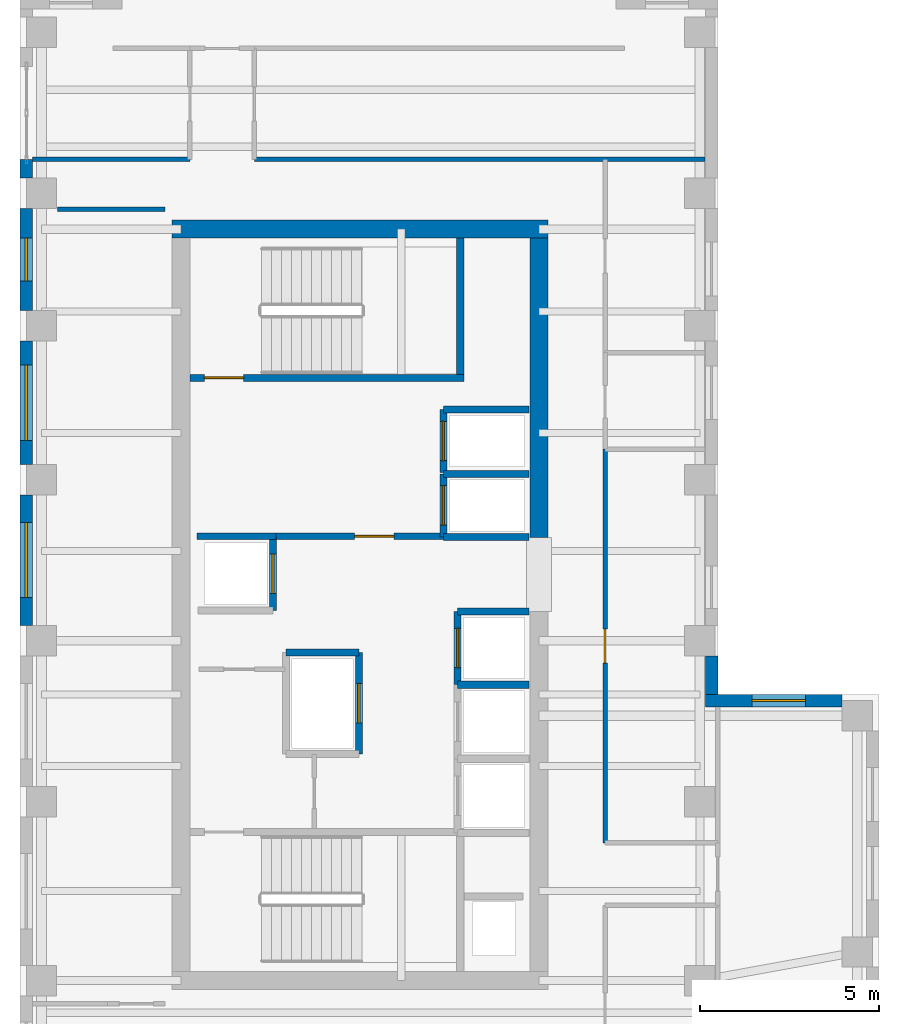
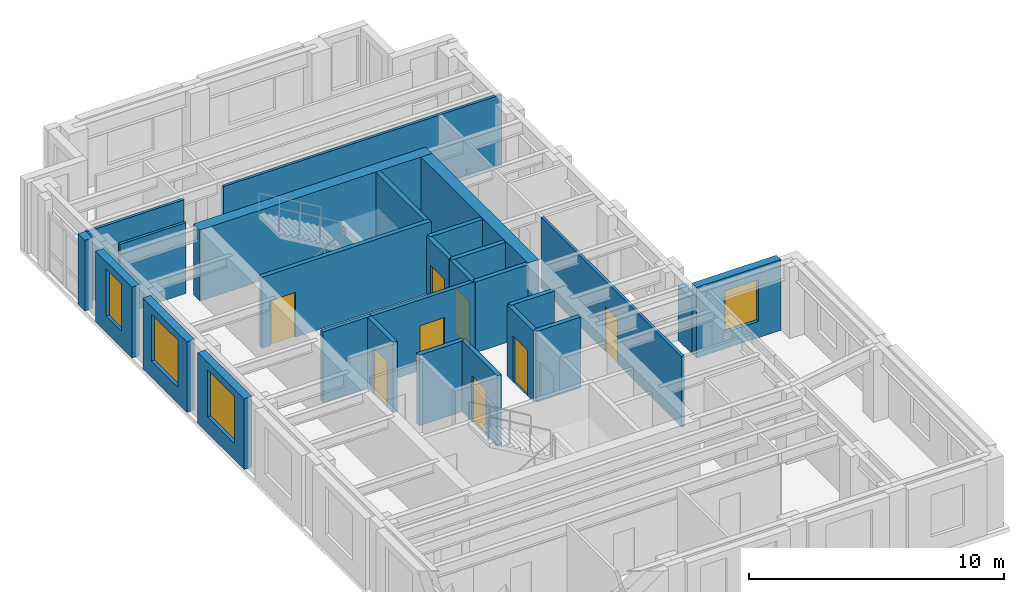
# One storey, part 7 of 10: 27 walls, 8 doors, 4 windows, 12 openings.
"""IFC4 building model written with IfcOpenShell, lengths in metres."""

import ifcopenshell
import ifcopenshell.guid

model = None  # the IFC model being written
_history = None  # IfcOwnerHistory: only IFC2X3 demands one
_inside = {}  # id of a spatial element -> (the spatial element, [elements in it])
_under = {}  # id of a project, library or spatial element -> (it, [spatial elements below it])
_declared = {}  # id of a project -> (the project, [libraries it declares])
_typed = {}  # id of a type object -> (the type object, [elements of that type])
_made_of = {}  # id of a material, layer set ... -> (it, [elements and type objects made of it])


def new_model(schema):
    """Start an empty IFC model of exactly this schema.

    Asked for "IFC4X3", IfcOpenShell would pick the latest addendum, in which some entities
    have other attributes; the version numbers below select the first issue.
    IFC2X3 requires an IfcOwnerHistory on every rooted entity: one is made here for all.
    """
    global model, _history
    if schema == "IFC4X3":
        model = ifcopenshell.file(schema_version=(4, 3, 0, 0))
    else:
        model = ifcopenshell.file(schema=schema)
    _inside.clear()
    _under.clear()
    _declared.clear()
    _typed.clear()
    _made_of.clear()
    _history = None
    if model.schema == "IFC2X3":
        org = make("IfcOrganization", Name="unknown")
        user = make(
            "IfcPersonAndOrganization",
            ThePerson=make("IfcPerson", FamilyName="unknown"),
            TheOrganization=org,
        )
        app = make(
            "IfcApplication",
            ApplicationDeveloper=org,
            Version="unknown",
            ApplicationFullName="unknown",
            ApplicationIdentifier="unknown",
        )
        _history = make(
            "IfcOwnerHistory",
            OwningUser=user,
            OwningApplication=app,
            ChangeAction="ADDED",
            CreationDate=0,
        )
    return model


def make(cls, **values):
    """One entity of the class cls with the attributes given. An attribute that is None is left unset."""
    return model.create_entity(
        cls, **{name: value for name, value in values.items() if value is not None}
    )


def rooted(cls, **values):
    """An entity with a GlobalId (a new one), such as an element, a storey or a relation."""
    return make(cls, GlobalId=ifcopenshell.guid.new(), OwnerHistory=_history, **values)


def si_unit(unit_type, name, prefix=None):
    """IfcSIUnit, for example si_unit("LENGTHUNIT", "METRE", prefix="MILLI")."""
    return make("IfcSIUnit", UnitType=unit_type, Prefix=prefix, Name=name)


def assignment(units):
    """IfcUnitAssignment: the units of a project."""
    return None if units is None else make("IfcUnitAssignment", Units=units)


def point(xyz):
    """IfcCartesianPoint."""
    return None if xyz is None else make("IfcCartesianPoint", Coordinates=xyz)


def direction(xyz):
    """IfcDirection."""
    return None if xyz is None else make("IfcDirection", DirectionRatios=xyz)


def frame(location, z_axis=None, x_axis=None):
    """IfcAxis2Placement3D, a coordinate frame: its origin and axes. An axis left out is left unset."""
    return make(
        "IfcAxis2Placement3D",
        Location=point(location),
        Axis=direction(z_axis),
        RefDirection=direction(x_axis),
    )


def frame_2d(location, x_axis=None):
    """IfcAxis2Placement2D, a coordinate frame in the plane: its origin and x axis."""
    return make(
        "IfcAxis2Placement2D", Location=point(location), RefDirection=direction(x_axis)
    )


def origin():
    """The frame at (0, 0, 0) with its axes left unset."""
    return frame((0.0, 0.0, 0.0))


def place(relative_to, where):
    """IfcLocalPlacement: puts the frame where relative to a parent placement (None: the world)."""
    return make(
        "IfcLocalPlacement", PlacementRelTo=relative_to, RelativePlacement=where
    )


def context(
    kind, dimensions, precision=None, world=None, true_north=None, identifier=None
):
    """IfcGeometricRepresentationContext, for example the 3D "Model" context."""
    return make(
        "IfcGeometricRepresentationContext",
        ContextIdentifier=identifier,
        ContextType=kind,
        CoordinateSpaceDimension=dimensions,
        Precision=precision,
        WorldCoordinateSystem=world,
        TrueNorth=true_north,
    )


def subcontext(parent, identifier, kind, view, scale=None):
    """IfcGeometricRepresentationSubContext, for example "Body" below "Model"."""
    return make(
        "IfcGeometricRepresentationSubContext",
        ContextIdentifier=identifier,
        ContextType=kind,
        ParentContext=parent,
        TargetScale=scale,
        TargetView=view,
    )


def project(units=None, contexts=None):
    """IfcProject with its units and contexts."""
    return rooted(
        "IfcProject",
        Name="project",
        RepresentationContexts=contexts,
        UnitsInContext=assignment(units),
    )


def spatial(cls, under=None, at=None, **own):
    """A site, building, storey or space (cls), placed at a placement, below another one or the project."""
    s = rooted(cls, ObjectPlacement=at, **own)
    if under is not None:
        _under.setdefault(under.id(), (under, []))[1].append(s)
    return s


def profile(cls, at=None, kind="AREA", **sizes):
    """A parametric profile (cls). Its sizes go by their IFC names, for example OverallWidth=200.0."""
    return make(cls, ProfileType=kind, Position=at, **sizes)


def rectangle(**sizes):
    """IfcRectangleProfileDef."""
    return profile("IfcRectangleProfileDef", **sizes)


def extrude(swept, where, along, depth):
    """IfcExtrudedAreaSolid: the profile swept, set in the frame where, extruded along a direction by depth."""
    return make(
        "IfcExtrudedAreaSolid",
        SweptArea=swept,
        Position=where,
        ExtrudedDirection=direction(along),
        Depth=depth,
    )


def shape(context_of_items, identifier, shape_type, items):
    """IfcShapeRepresentation: the items that make up one representation, for example the "Body"."""
    return make(
        "IfcShapeRepresentation",
        ContextOfItems=context_of_items,
        RepresentationIdentifier=identifier,
        RepresentationType=shape_type,
        Items=items,
    )


def source(mapping_origin, context_of_items, identifier, shape_type, items):
    """IfcRepresentationMap: a shape defined once, which mapped items show again and again."""
    return make(
        "IfcRepresentationMap",
        MappingOrigin=mapping_origin,
        MappedRepresentation=shape(context_of_items, identifier, shape_type, items),
    )


def transform(
    local_origin,
    x_axis=None,
    y_axis=None,
    z_axis=None,
    scale=None,
    scale2=None,
    scale3=None,
    uniform=True,
):
    """IfcCartesianTransformationOperator3D, or its non-uniform kind. x_axis, y_axis, z_axis: its Axis1, 2, 3."""
    if uniform:
        return make(
            "IfcCartesianTransformationOperator3D",
            Axis1=direction(x_axis),
            Axis2=direction(y_axis),
            LocalOrigin=point(local_origin),
            Scale=scale,
            Axis3=direction(z_axis),
        )
    return make(
        "IfcCartesianTransformationOperator3DnonUniform",
        Axis1=direction(x_axis),
        Axis2=direction(y_axis),
        LocalOrigin=point(local_origin),
        Scale=scale,
        Axis3=direction(z_axis),
        Scale2=scale2,
        Scale3=scale3,
    )


def mapped(mapping_source, mapping_target):
    """IfcMappedItem: shows the shape of a source again, moved by a transform."""
    return make(
        "IfcMappedItem", MappingSource=mapping_source, MappingTarget=mapping_target
    )


def material(Name=None, Category=None):
    """IfcMaterial."""
    return make("IfcMaterial", Name=Name, Category=Category)


def layer(
    of_material, thickness, ventilated=None, Name=None, Category=None, Priority=None
):
    """IfcMaterialLayer: one layer of a wall or slab, of a material (None: an air gap)."""
    return make(
        "IfcMaterialLayer",
        Material=of_material,
        LayerThickness=thickness,
        IsVentilated=ventilated,
        Name=Name,
        Category=Category,
        Priority=Priority,
    )


def layer_set(layers, Name=None):
    """IfcMaterialLayerSet."""
    return make("IfcMaterialLayerSet", MaterialLayers=layers, LayerSetName=Name)


def made_of(thing, what):
    """Note that an element or type object is made of a material, layer set ...; save() writes the relation."""
    if what is not None:
        _made_of.setdefault(what.id(), (what, []))[1].append(thing)
    return thing


def type_object(cls, material=None, **own):
    """A type object (cls), such as IfcWallType, which elements share."""
    return made_of(rooted(cls, **own), material)


def element(
    cls,
    number,
    at=None,
    inside=None,
    cuts=None,
    type_object=None,
    material=None,
    context=None,
    identifier="Body",
    shape_type=None,
    held_by="IfcProductDefinitionShape",
    body=None,
    shapes=None,
    **own,
):
    """One element of the class cls, such as IfcWall. Its Tag is "e" and its number.

    at: its placement. inside: the storey or other place that contains it. cuts: it is an
    opening in that element (IfcRelVoidsElement). A single representation is given by context,
    identifier, shape_type and body (its items); several are given by shapes. held_by: the class
    of the entity that holds the representations. save() writes the other relations.
    """
    e = rooted(cls, Tag="e%d" % number, ObjectPlacement=at, **own)
    if body is not None:
        shapes = [shape(context, identifier, shape_type, body)]
    if shapes is not None:
        e.Representation = make(held_by, Representations=shapes)
    if inside is not None:
        _inside.setdefault(inside.id(), (inside, []))[1].append(e)
    if cuts is not None:
        rooted(
            "IfcRelVoidsElement", RelatingBuildingElement=cuts, RelatedOpeningElement=e
        )
    if type_object is not None:
        _typed.setdefault(type_object.id(), (type_object, []))[1].append(e)
    return made_of(e, material)


def fill(opening, filler):
    """IfcRelFillsElement: the door or window that sits in an opening."""
    return rooted(
        "IfcRelFillsElement",
        RelatingOpeningElement=opening,
        RelatedBuildingElement=filler,
    )


def aggregate(whole, parts):
    """IfcRelAggregates: a whole, such as a stair, and the parts it consists of."""
    return rooted("IfcRelAggregates", RelatingObject=whole, RelatedObjects=parts)


def save(model, path):
    """Write the relations noted so far, then the file.

    IfcRelAggregates (storeys below a building ...), IfcRelContainedInSpatialStructure (elements
    in a storey), IfcRelDefinesByType, IfcRelAssociatesMaterial and IfcRelDeclares: one each for
    every whole, place, type object, material and project.
    """
    for whole, parts in _under.values():
        aggregate(whole, parts)
    for where, things in _inside.values():
        rooted(
            "IfcRelContainedInSpatialStructure",
            RelatedElements=things,
            RelatingStructure=where,
        )
    for kind, things in _typed.values():
        rooted("IfcRelDefinesByType", RelatedObjects=things, RelatingType=kind)
    for what, things in _made_of.values():
        rooted("IfcRelAssociatesMaterial", RelatedObjects=things, RelatingMaterial=what)
    for by, libraries in _declared.values():
        rooted("IfcRelDeclares", RelatingContext=by, RelatedDefinitions=libraries)
    model.write(path)


model = new_model("IFC4")

# Units and contexts
model_context = context("Model", 3, precision=1e-05, world=origin(), true_north=direction((0.0, 1.0)))
body_context = subcontext(model_context, "Body", "Model", "MODEL_VIEW")
ifc_project = project(units=[si_unit("LENGTHUNIT", "METRE"), si_unit("AREAUNIT", "SQUARE_METRE"), si_unit("VOLUMEUNIT", "CUBIC_METRE"), si_unit("PLANEANGLEUNIT", "RADIAN"), si_unit("MASSUNIT", "GRAM", prefix="KILO")], contexts=[model_context])

# Site, building, storey
site_placement = place(None, origin())
site = spatial("IfcSite", under=ifc_project, at=site_placement, CompositionType="ELEMENT")
building_placement = place(site_placement, origin())
building = spatial("IfcBuilding", under=site, at=building_placement, Name="Kharzan Plaza Tower", CompositionType="ELEMENT")
storey_placement = place(building_placement, frame((0.0, 0.0, 270.0)))
storey = spatial("IfcBuildingStorey", under=building, at=storey_placement, Name="L73", CompositionType="ELEMENT", Elevation=270.0)

# Wall, opening, window
ifc_material_1 = material(Name="Concrete C40/50", Category="concrete")
ifc_layer_1 = layer(ifc_material_1, 0.35009765625)
ifc_layer_set_1 = layer_set([ifc_layer_1], Name="Concrete C40/50")
wall_type_1 = type_object("IfcWallType", Name="WL-EXT-MAS-Z4", PredefinedType="SOLIDWALL", material=ifc_layer_set_1)
wall_1_placement = place(storey_placement, frame((0.175048828125, 30.076904296875, 0.0), z_axis=(0.0, 0.0, 1.0), x_axis=(0.0, -1.0, 0.0)))
wall_1 = element("IfcWall", 1, at=wall_1_placement, inside=storey, type_object=wall_type_1, Name="L73 Masonry-Frame Exterior Wall 11", PredefinedType="SOLIDWALL", context=body_context, shape_type="SweptSolid", body=[
    extrude(rectangle(XDim=2.85400390625, YDim=0.35009765625, at=frame_2d((1.427001953125, 0.0))), origin(), (0.0, 0.0, 1.0), 3.385009765625),
])
opening_1_placement = place(wall_1_placement, frame((0.826904296875, 0.0, 0.780029296875)))
opening_1 = element("IfcOpeningElement", 2, at=opening_1_placement, cuts=wall_1, Name="Opening W3", PredefinedType="OPENING", context=body_context, shape_type="SweptSolid", body=[
    extrude(rectangle(XDim=1.199951171875, YDim=2.25, at=frame_2d((0.60009765625, 1.125))), frame((0.0, 0.18505859375, 0.0), z_axis=(0.0, -1.0, 0.0), x_axis=(1.0, 0.0, 0.0)), (0.0, 0.0, 1.0), 0.3701171875),
])
ifc_material_2 = material(Name="Low-E Double Glazing", Category="glass")
window_type_1 = type_object("IfcWindowType", Name="WN-REC-1200x2100", PartitioningType="SINGLE_PANEL", PredefinedType="WINDOW", material=ifc_material_2)
shared_shape_1 = source(origin(), body_context, "Body", "SweptSolid", [
    extrude(rectangle(XDim=1.199951171875, YDim=2.25, at=frame_2d((0.60009765625, 1.125))), frame((0.0, 0.030029296875, 0.0), z_axis=(0.0, -1.0, 0.0), x_axis=(1.0, 0.0, 0.0)), (0.0, 0.0, 1.0), 0.06005859375),
])
window_1_placement = place(opening_1_placement, origin())
window_1 = element("IfcWindow", 3, at=window_1_placement, inside=storey, type_object=window_type_1, Name="L73 Recessed Solar-Control Window 11-1", OverallHeight=2.25, OverallWidth=1.199951171875, PartitioningType="SINGLE_PANEL", PredefinedType="WINDOW", context=body_context, shape_type="MappedRepresentation", body=[
    mapped(shared_shape_1, transform((0.0, 0.0, 0.0), x_axis=(1.0, 0.0, 0.0), y_axis=(0.0, 1.0, 0.0), z_axis=(0.0, 0.0, 1.0))),
])
fill(opening_1, window_1)

wall_2_placement = place(storey_placement, frame((0.175048828125, 26.376953125, 0.0), z_axis=(0.0, 0.0, 1.0), x_axis=(0.0, -1.0, 0.0)))
wall_2 = element("IfcWall", 4, at=wall_2_placement, inside=storey, type_object=wall_type_1, Name="L73 Masonry-Frame Exterior Wall 12", PredefinedType="SOLIDWALL", context=body_context, shape_type="SweptSolid", body=[
    extrude(rectangle(XDim=3.453857421875, YDim=0.35009765625, at=frame_2d((1.72705078125, 0.0))), origin(), (0.0, 0.0, 1.0), 3.385009765625),
])
opening_2_placement = place(wall_2_placement, frame((0.677001953125, 0.0, 0.780029296875)))
opening_2 = element("IfcOpeningElement", 5, at=opening_2_placement, cuts=wall_2, Name="Opening W6", PredefinedType="OPENING", context=body_context, shape_type="SweptSolid", body=[
    extrude(rectangle(XDim=2.10009765625, YDim=2.25, at=frame_2d((1.050048828125, 1.125))), frame((0.0, 0.18505859375, 0.0), z_axis=(0.0, -1.0, 0.0), x_axis=(1.0, 0.0, 0.0)), (0.0, 0.0, 1.0), 0.3701171875),
])
window_type_2 = type_object("IfcWindowType", Name="WN-EXEC-2100x2250", PartitioningType="SINGLE_PANEL", PredefinedType="WINDOW", material=ifc_material_2)
shared_shape_2 = source(origin(), body_context, "Body", "SweptSolid", [
    extrude(rectangle(XDim=2.10009765625, YDim=2.25, at=frame_2d((1.050048828125, 1.125))), frame((0.0, 0.030029296875, 0.0), z_axis=(0.0, -1.0, 0.0), x_axis=(1.0, 0.0, 0.0)), (0.0, 0.0, 1.0), 0.06005859375),
])
window_2_placement = place(opening_2_placement, origin())
window_2 = element("IfcWindow", 6, at=window_2_placement, inside=storey, type_object=window_type_2, Name="L73 Recessed Solar-Control Window 12-1", OverallHeight=2.25, OverallWidth=2.10009765625, PartitioningType="SINGLE_PANEL", PredefinedType="WINDOW", context=body_context, shape_type="MappedRepresentation", body=[
    mapped(shared_shape_2, transform((0.0, 0.0, 0.0), x_axis=(1.0, 0.0, 0.0), y_axis=(0.0, 1.0, 0.0), z_axis=(0.0, 0.0, 1.0))),
])
fill(opening_2, window_2)

wall_3_placement = place(storey_placement, frame((0.175048828125, 22.076904296875, 0.0), z_axis=(0.0, 0.0, 1.0), x_axis=(0.0, -1.0, 0.0)))
wall_3 = element("IfcWall", 7, at=wall_3_placement, inside=storey, type_object=wall_type_1, Name="L73 Masonry-Frame Exterior Wall 13", PredefinedType="SOLIDWALL", context=body_context, shape_type="SweptSolid", body=[
    extrude(rectangle(XDim=3.65380859375, YDim=0.35009765625, at=frame_2d((1.826904296875, 0.0))), origin(), (0.0, 0.0, 1.0), 3.385009765625),
])
opening_3_placement = place(wall_3_placement, frame((0.777099609375, 0.0, 0.780029296875)))
opening_3 = element("IfcOpeningElement", 8, at=opening_3_placement, cuts=wall_3, Name="Opening W6", PredefinedType="OPENING", context=body_context, shape_type="SweptSolid", body=[
    extrude(rectangle(XDim=2.10009765625, YDim=2.25, at=frame_2d((1.050048828125, 1.125))), frame((0.0, 0.18505859375, 0.0), z_axis=(0.0, -1.0, 0.0), x_axis=(1.0, 0.0, 0.0)), (0.0, 0.0, 1.0), 0.3701171875),
])
window_3_placement = place(opening_3_placement, origin())
window_3 = element("IfcWindow", 9, at=window_3_placement, inside=storey, type_object=window_type_2, Name="L73 Recessed Solar-Control Window 13-1", OverallHeight=2.25, OverallWidth=2.10009765625, PartitioningType="SINGLE_PANEL", PredefinedType="WINDOW", context=body_context, shape_type="MappedRepresentation", body=[
    mapped(shared_shape_2, transform((0.0, 0.0, 0.0), x_axis=(1.0, 0.0, 0.0), y_axis=(0.0, 1.0, 0.0), z_axis=(0.0, 0.0, 1.0))),
])
fill(opening_3, window_3)

wall_4_placement = place(storey_placement, frame((22.97705078125, 16.324951171875, 0.0), z_axis=(0.0, 0.0, 1.0), x_axis=(-1.0, 0.0, 0.0)))
wall_4 = element("IfcWall", 10, at=wall_4_placement, inside=storey, type_object=wall_type_1, Name="L73 Masonry-Frame Exterior Wall 27", PredefinedType="SOLIDWALL", context=body_context, shape_type="SweptSolid", body=[
    extrude(rectangle(XDim=3.8271484375, YDim=0.35009765625, at=frame_2d((1.91357421875, 0.0))), origin(), (0.0, 0.0, 1.0), 3.385009765625),
])
opening_4_placement = place(wall_4_placement, frame((1.0234375, 0.0, 0.780029296875)))
opening_4 = element("IfcOpeningElement", 11, at=opening_4_placement, cuts=wall_4, Name="Opening W5", PredefinedType="OPENING", context=body_context, shape_type="SweptSolid", body=[
    extrude(rectangle(XDim=1.5, YDim=2.0, at=frame_2d((0.75, 1.0))), frame((0.0, 0.18505859375, 0.0), z_axis=(0.0, -1.0, 0.0), x_axis=(1.0, 0.0, 0.0)), (0.0, 0.0, 1.0), 0.3701171875),
])
window_type_3 = type_object("IfcWindowType", Name="WN-SLT-1500x2000", PartitioningType="SINGLE_PANEL", PredefinedType="WINDOW", material=ifc_material_2)
shared_shape_3 = source(origin(), body_context, "Body", "SweptSolid", [
    extrude(rectangle(XDim=1.5, YDim=2.0, at=frame_2d((0.75, 1.0))), frame((0.0, 0.030029296875, 0.0), z_axis=(0.0, -1.0, 0.0), x_axis=(1.0, 0.0, 0.0)), (0.0, 0.0, 1.0), 0.06005859375),
])
window_4_placement = place(opening_4_placement, origin())
window_4 = element("IfcWindow", 12, at=window_4_placement, inside=storey, type_object=window_type_3, Name="L73 Recessed Solar-Control Window 27-1", OverallHeight=2.0, OverallWidth=1.5, PartitioningType="SINGLE_PANEL", PredefinedType="WINDOW", context=body_context, shape_type="MappedRepresentation", body=[
    mapped(shared_shape_3, transform((0.0, 0.0, 0.0), x_axis=(1.0, 0.0, 0.0), y_axis=(0.0, 1.0, 0.0), z_axis=(0.0, 0.0, 1.0))),
])
fill(opening_4, window_4)

# Wall, opening, door
ifc_layer_2 = layer(ifc_material_1, 0.179931640625)
ifc_layer_set_2 = layer_set([ifc_layer_2], Name="Concrete C40/50")
wall_type_2 = type_object("IfcWallType", Name="WL-INT-FIRE-180", PredefinedType="PARTITIONING", material=ifc_layer_set_2)
wall_5_placement = place(storey_placement, frame((7.14990234375, 20.919921875, 0.0), z_axis=(0.0, 0.0, 1.0), x_axis=(1.0, 0.0, 0.0)))
wall_5 = element("IfcWall", 13, at=wall_5_placement, inside=storey, type_object=wall_type_2, Name="L73 Interior Partition CA-FF-S", PredefinedType="PARTITIONING", context=body_context, shape_type="SweptSolid", body=[
    extrude(rectangle(XDim=4.68017578125, YDim=0.179931640625, at=frame_2d((2.340087890625, 0.0))), origin(), (0.0, 0.0, 1.0), 3.385009765625),
])
opening_5_placement = place(wall_5_placement, frame((2.199951171875, 0.0, 0.0)))
opening_5 = element("IfcOpeningElement", 14, at=opening_5_placement, cuts=wall_5, Name="Opening FD1", PredefinedType="OPENING", context=body_context, shape_type="SweptSolid", body=[
    extrude(rectangle(XDim=1.10009765625, YDim=2.14990234375, at=frame_2d((0.550048828125, 1.074951171875))), frame((0.0, 0.099853515625, 0.0), z_axis=(0.0, -1.0, 0.0), x_axis=(1.0, 0.0, 0.0)), (0.0, 0.0, 1.0), 0.199951171875),
])
ifc_material_3 = material(Name="Fire-Rated Acoustic Vision-Panel Steel", Category="steel")
door_type_1 = type_object("IfcDoorType", Name="DR-FIRE-LOBBY", OperationType="NOTDEFINED", PredefinedType="DOOR", material=ifc_material_3)
shared_shape_4 = source(origin(), body_context, "Body", "SweptSolid", [
    extrude(rectangle(XDim=1.10009765625, YDim=2.14990234375, at=frame_2d((0.550048828125, 1.074951171875))), frame((0.0, 0.02490234375, 0.0), z_axis=(0.0, -1.0, 0.0), x_axis=(1.0, 0.0, 0.0)), (0.0, 0.0, 1.0), 0.050048828125),
])
door_1_placement = place(opening_5_placement, origin())
door_1 = element("IfcDoor", 15, at=door_1_placement, inside=storey, type_object=door_type_1, Name="L73 Firefighting Lobby Door", OperationType="SINGLE_SWING_RIGHT", OverallHeight=2.14990234375, OverallWidth=1.10009765625, PredefinedType="DOOR", context=body_context, shape_type="MappedRepresentation", body=[
    mapped(shared_shape_4, transform((0.0, 0.0, 0.0), x_axis=(1.0, 0.0, 0.0), y_axis=(0.0, 1.0, 0.0), z_axis=(0.0, 0.0, 1.0))),
])
fill(opening_5, door_1)

ifc_material_4 = material(Name="Fire-Rated Gypsum Board Partition", Category="gypsum")
ifc_layer_3 = layer(ifc_material_4, 0.125)
ifc_layer_set_3 = layer_set([ifc_layer_3], Name="Fire-Rated Gypsum Board Partition")
wall_type_3 = type_object("IfcWallType", Name="WL-INT-PART-125", PredefinedType="PARTITIONING", material=ifc_layer_set_3)
wall_6_placement = place(storey_placement, frame((16.35009765625, 12.35009765625, 0.0), z_axis=(0.0, 0.0, 1.0), x_axis=(0.0, 1.0, 0.0)))
wall_6 = element("IfcWall", 16, at=wall_6_placement, inside=storey, type_object=wall_type_3, Name="L73 Interior Partition SH-AEW2", PredefinedType="PARTITIONING", context=body_context, shape_type="SweptSolid", body=[
    extrude(rectangle(XDim=11.0, YDim=0.125, at=frame_2d((5.5, 0.0))), origin(), (0.0, 0.0, 1.0), 3.385009765625),
])
opening_6_placement = place(wall_6_placement, frame((5.02490234375, 0.0, 0.0)))
opening_6 = element("IfcOpeningElement", 17, at=opening_6_placement, cuts=wall_6, Name="Opening OD1", PredefinedType="OPENING", context=body_context, shape_type="SweptSolid", body=[
    extrude(rectangle(XDim=0.949951171875, YDim=2.14990234375, at=frame_2d((0.47509765625, 1.074951171875))), frame((0.0, 0.072509765625, 0.0), z_axis=(0.0, -1.0, 0.0), x_axis=(1.0, 0.0, 0.0)), (0.0, 0.0, 1.0), 0.14501953125),
])
ifc_material_5 = material(Name="Acoustic Solid-Core Stained Oak", Category="timber")
door_type_2 = type_object("IfcDoorType", Name="DR-OFF-SINGLE", OperationType="NOTDEFINED", PredefinedType="DOOR", material=ifc_material_5)
shared_shape_5 = source(origin(), body_context, "Body", "SweptSolid", [
    extrude(rectangle(XDim=0.949951171875, YDim=2.14990234375, at=frame_2d((0.47509765625, 1.074951171875))), frame((0.0, 0.02490234375, 0.0), z_axis=(0.0, -1.0, 0.0), x_axis=(1.0, 0.0, 0.0)), (0.0, 0.0, 1.0), 0.050048828125),
])
door_2_placement = place(opening_6_placement, origin())
door_2 = element("IfcDoor", 18, at=door_2_placement, inside=storey, type_object=door_type_2, Name="L73 Briefing Room Door", OperationType="SINGLE_SWING_RIGHT", OverallHeight=2.14990234375, OverallWidth=0.949951171875, PredefinedType="DOOR", context=body_context, shape_type="MappedRepresentation", body=[
    mapped(shared_shape_5, transform((0.0, 0.0, 0.0), x_axis=(1.0, 0.0, 0.0), y_axis=(0.0, 1.0, 0.0), z_axis=(0.0, 0.0, 1.0))),
])
fill(opening_6, door_2)

ifc_layer_4 = layer(ifc_material_1, 0.199951171875)
ifc_layer_set_4 = layer_set([ifc_layer_4], Name="Concrete C40/50")
wall_type_4 = type_object("IfcWallType", Name="WL-INT-SHAFT-200", PredefinedType="PARTITIONING", material=ifc_layer_set_4)
wall_7_placement = place(storey_placement, frame((11.830078125, 20.89990234375, 0.0), z_axis=(0.0, 0.0, 1.0), x_axis=(0.0, 1.0, 0.0)))
wall_7 = element("IfcWall", 19, at=wall_7_placement, inside=storey, type_object=wall_type_4, Name="L73 Interior Partition SHF-FFL-1-W", PredefinedType="PARTITIONING", context=body_context, shape_type="SweptSolid", body=[
    extrude(rectangle(XDim=1.760009765625, YDim=0.199951171875, at=frame_2d((0.8798828125, 0.0))), origin(), (0.0, 0.0, 1.0), 3.385009765625),
])
opening_7_placement = place(wall_7_placement, frame((0.330078125, 0.0, 0.0)))
opening_7 = element("IfcOpeningElement", 20, at=opening_7_placement, cuts=wall_7, Name="Opening LD", PredefinedType="OPENING", context=body_context, shape_type="SweptSolid", body=[
    extrude(rectangle(XDim=1.10009765625, YDim=2.199951171875, at=frame_2d((0.550048828125, 1.10009765625))), frame((0.0, 0.10986328125, 0.0), z_axis=(0.0, -1.0, 0.0), x_axis=(1.0, 0.0, 0.0)), (0.0, 0.0, 1.0), 0.219970703125),
])
ifc_material_6 = material(Name="Brushed Stainless Steel", Category="steel")
door_type_3 = type_object("IfcDoorType", Name="DR-LIFT-SLIDE", OperationType="SLIDING_TO_LEFT", PredefinedType="DOOR", material=ifc_material_6)
shared_shape_6 = source(origin(), body_context, "Body", "SweptSolid", [
    extrude(rectangle(XDim=1.10009765625, YDim=2.199951171875, at=frame_2d((0.550048828125, 1.10009765625))), frame((0.0, 0.02490234375, 0.0), z_axis=(0.0, -1.0, 0.0), x_axis=(1.0, 0.0, 0.0)), (0.0, 0.0, 1.0), 0.050048828125),
])
door_3_placement = place(opening_7_placement, origin())
door_3 = element("IfcDoor", 21, at=door_3_placement, inside=storey, type_object=door_type_3, Name="L73 Firefighting Lift FFL-1 Sliding Landing Door", OperationType="SLIDING_TO_LEFT", OverallHeight=2.199951171875, OverallWidth=1.10009765625, PredefinedType="DOOR", context=body_context, shape_type="MappedRepresentation", body=[
    mapped(shared_shape_6, transform((0.0, 0.0, 0.0), x_axis=(1.0, 0.0, 0.0), y_axis=(0.0, 1.0, 0.0), z_axis=(0.0, 0.0, 1.0))),
])
fill(opening_7, door_3)

wall_8_placement = place(storey_placement, frame((11.830078125, 22.699951171875, 0.0), z_axis=(0.0, 0.0, 1.0), x_axis=(0.0, 1.0, 0.0)))
wall_8 = element("IfcWall", 22, at=wall_8_placement, inside=storey, type_object=wall_type_4, Name="L73 Interior Partition SHF-FFL-2-W", PredefinedType="PARTITIONING", context=body_context, shape_type="SweptSolid", body=[
    extrude(rectangle(XDim=1.760009765625, YDim=0.199951171875, at=frame_2d((0.8798828125, 0.0))), origin(), (0.0, 0.0, 1.0), 3.385009765625),
])
opening_8_placement = place(wall_8_placement, frame((0.330078125, 0.0, 0.0)))
opening_8 = element("IfcOpeningElement", 23, at=opening_8_placement, cuts=wall_8, Name="Opening LD", PredefinedType="OPENING", context=body_context, shape_type="SweptSolid", body=[
    extrude(rectangle(XDim=1.10009765625, YDim=2.199951171875, at=frame_2d((0.550048828125, 1.10009765625))), frame((0.0, 0.10986328125, 0.0), z_axis=(0.0, -1.0, 0.0), x_axis=(1.0, 0.0, 0.0)), (0.0, 0.0, 1.0), 0.219970703125),
])
door_4_placement = place(opening_8_placement, origin())
door_4 = element("IfcDoor", 24, at=door_4_placement, inside=storey, type_object=door_type_3, Name="L73 Firefighting Lift FFL-2 Sliding Landing Door", OperationType="SLIDING_TO_LEFT", OverallHeight=2.199951171875, OverallWidth=1.10009765625, PredefinedType="DOOR", context=body_context, shape_type="MappedRepresentation", body=[
    mapped(shared_shape_6, transform((0.0, 0.0, 0.0), x_axis=(1.0, 0.0, 0.0), y_axis=(0.0, 1.0, 0.0), z_axis=(0.0, 0.0, 1.0))),
])
fill(opening_8, door_4)

wall_9_placement = place(storey_placement, frame((12.22998046875, 16.77001953125, 0.0), z_axis=(0.0, 0.0, 1.0), x_axis=(0.0, 1.0, 0.0)))
wall_9 = element("IfcWall", 25, at=wall_9_placement, inside=storey, type_object=wall_type_4, Name="L73 Interior Partition SHF-PL-H3-W", PredefinedType="PARTITIONING", context=body_context, shape_type="SweptSolid", body=[
    extrude(rectangle(XDim=2.050048828125, YDim=0.199951171875, at=frame_2d((1.02490234375, 0.0))), origin(), (0.0, 0.0, 1.0), 3.385009765625),
])
opening_9_placement = place(wall_9_placement, frame((0.47509765625, 0.0, 0.0)))
opening_9 = element("IfcOpeningElement", 26, at=opening_9_placement, cuts=wall_9, Name="Opening LD", PredefinedType="OPENING", context=body_context, shape_type="SweptSolid", body=[
    extrude(rectangle(XDim=1.10009765625, YDim=2.199951171875, at=frame_2d((0.550048828125, 1.10009765625))), frame((0.0, 0.10986328125, 0.0), z_axis=(0.0, -1.0, 0.0), x_axis=(1.0, 0.0, 0.0)), (0.0, 0.0, 1.0), 0.219970703125),
])
door_5_placement = place(opening_9_placement, origin())
door_5 = element("IfcDoor", 27, at=door_5_placement, inside=storey, type_object=door_type_3, Name="L73 High-Rise Passenger Lift PL-H3 Sliding Landing Door", OperationType="SLIDING_TO_LEFT", OverallHeight=2.199951171875, OverallWidth=1.10009765625, PredefinedType="DOOR", context=body_context, shape_type="MappedRepresentation", body=[
    mapped(shared_shape_6, transform((0.0, 0.0, 0.0), x_axis=(1.0, 0.0, 0.0), y_axis=(0.0, 1.0, 0.0), z_axis=(0.0, 0.0, 1.0))),
])
fill(opening_9, door_5)

wall_10_placement = place(storey_placement, frame((7.070068359375, 18.840087890625, 0.0), z_axis=(0.0, 0.0, 1.0), x_axis=(0.0, 1.0, 0.0)))
wall_10 = element("IfcWall", 28, at=wall_10_placement, inside=storey, type_object=wall_type_4, Name="L73 Interior Partition SHF-PL-H4-E", PredefinedType="PARTITIONING", context=body_context, shape_type="SweptSolid", body=[
    extrude(rectangle(XDim=2.059814453125, YDim=0.199951171875, at=frame_2d((1.02978515625, 0.0))), origin(), (0.0, 0.0, 1.0), 3.385009765625),
])
opening_10_placement = place(wall_10_placement, frame((0.47998046875, 0.0, 0.0)))
opening_10 = element("IfcOpeningElement", 29, at=opening_10_placement, cuts=wall_10, Name="Opening LD", PredefinedType="OPENING", context=body_context, shape_type="SweptSolid", body=[
    extrude(rectangle(XDim=1.10009765625, YDim=2.199951171875, at=frame_2d((0.550048828125, 1.10009765625))), frame((0.0, 0.10986328125, 0.0), z_axis=(0.0, -1.0, 0.0), x_axis=(1.0, 0.0, 0.0)), (0.0, 0.0, 1.0), 0.219970703125),
])
door_6_placement = place(opening_10_placement, origin())
door_6 = element("IfcDoor", 30, at=door_6_placement, inside=storey, type_object=door_type_3, Name="L73 High-Rise Passenger Lift PL-H4 Sliding Landing Door", OperationType="SLIDING_TO_LEFT", OverallHeight=2.199951171875, OverallWidth=1.10009765625, PredefinedType="DOOR", context=body_context, shape_type="MappedRepresentation", body=[
    mapped(shared_shape_6, transform((0.0, 0.0, 0.0), x_axis=(1.0, 0.0, 0.0), y_axis=(0.0, 1.0, 0.0), z_axis=(0.0, 0.0, 1.0))),
])
fill(opening_10, door_6)

wall_11_placement = place(storey_placement, frame((9.469970703125, 14.830078125, 0.0), z_axis=(0.0, 0.0, 1.0), x_axis=(0.0, 1.0, 0.0)))
wall_11 = element("IfcWall", 31, at=wall_11_placement, inside=storey, type_object=wall_type_4, Name="L73 Interior Partition SHF-SVL-1-E", PredefinedType="PARTITIONING", context=body_context, shape_type="SweptSolid", body=[
    extrude(rectangle(XDim=2.83984375, YDim=0.199951171875, at=frame_2d((1.419921875, 0.0))), origin(), (0.0, 0.0, 1.0), 3.385009765625),
])
opening_11_placement = place(wall_11_placement, frame((0.8701171875, 0.0, 0.0)))
opening_11 = element("IfcOpeningElement", 32, at=opening_11_placement, cuts=wall_11, Name="Opening LD", PredefinedType="OPENING", context=body_context, shape_type="SweptSolid", body=[
    extrude(rectangle(XDim=1.10009765625, YDim=2.199951171875, at=frame_2d((0.550048828125, 1.10009765625))), frame((0.0, 0.10986328125, 0.0), z_axis=(0.0, -1.0, 0.0), x_axis=(1.0, 0.0, 0.0)), (0.0, 0.0, 1.0), 0.219970703125),
])
door_7_placement = place(opening_11_placement, origin())
door_7 = element("IfcDoor", 33, at=door_7_placement, inside=storey, type_object=door_type_3, Name="L73 Service Lift SVL-1 Sliding Landing Door", OperationType="SLIDING_TO_LEFT", OverallHeight=2.199951171875, OverallWidth=1.10009765625, PredefinedType="DOOR", context=body_context, shape_type="MappedRepresentation", body=[
    mapped(shared_shape_6, transform((0.0, 0.0, 0.0), x_axis=(1.0, 0.0, 0.0), y_axis=(0.0, 1.0, 0.0), z_axis=(0.0, 0.0, 1.0))),
])
fill(opening_11, door_7)

ifc_material_7 = material(Name="Concrete C50/60", Category="concrete")
ifc_layer_5 = layer(ifc_material_7, 0.199951171875)
ifc_layer_set_5 = layer_set([ifc_layer_5], Name="Concrete C50/60")
wall_type_5 = type_object("IfcWallType", Name="WL-SHAFT-RC200", PredefinedType="SHEAR", material=ifc_layer_set_5)
wall_12_placement = place(storey_placement, frame((4.751953125, 25.344970703125, 0.0), z_axis=(0.0, 0.0, 1.0), x_axis=(1.0, 0.0, 0.0)))
wall_12 = element("IfcWall", 34, at=wall_12_placement, inside=storey, type_object=wall_type_5, Name="L73 Stair ST-2 South RC Shaft Wall", PredefinedType="SHEAR", context=body_context, shape_type="SweptSolid", body=[
    extrude(rectangle(XDim=7.653076171875, YDim=0.199951171875, at=frame_2d((3.82666015625, 0.0))), origin(), (0.0, 0.0, 1.0), 3.39990234375),
])
opening_12_placement = place(wall_12_placement, frame((0.39990234375, 0.0, 0.0)))
opening_12 = element("IfcOpeningElement", 35, at=opening_12_placement, cuts=wall_12, Name="Opening SD1", PredefinedType="OPENING", context=body_context, shape_type="SweptSolid", body=[
    extrude(rectangle(XDim=1.10009765625, YDim=2.14990234375, at=frame_2d((0.550048828125, 1.074951171875))), frame((0.0, 0.10986328125, 0.0), z_axis=(0.0, -1.0, 0.0), x_axis=(1.0, 0.0, 0.0)), (0.0, 0.0, 1.0), 0.219970703125),
])
ifc_material_8 = material(Name="Fire-Rated Hollow Galvanized Steel", Category="steel")
door_type_4 = type_object("IfcDoorType", Name="DR-STAIR-FD120", OperationType="NOTDEFINED", PredefinedType="DOOR", material=ifc_material_8)
shared_shape_7 = source(origin(), body_context, "Body", "SweptSolid", [
    extrude(rectangle(XDim=1.10009765625, YDim=2.14990234375, at=frame_2d((0.550048828125, 1.074951171875))), frame((0.0, 0.02490234375, 0.0), z_axis=(0.0, -1.0, 0.0), x_axis=(1.0, 0.0, 0.0)), (0.0, 0.0, 1.0), 0.050048828125),
])
door_8_placement = place(opening_12_placement, origin())
door_8 = element("IfcDoor", 36, at=door_8_placement, inside=storey, type_object=door_type_4, Name="L73 Stair ST-2 Fire Exit Door", OperationType="SINGLE_SWING_LEFT", OverallHeight=2.14990234375, OverallWidth=1.10009765625, PredefinedType="DOOR", context=body_context, shape_type="MappedRepresentation", body=[
    mapped(shared_shape_7, transform((0.0, 0.0, 0.0), x_axis=(1.0, 0.0, 0.0), y_axis=(0.0, 1.0, 0.0), z_axis=(0.0, 0.0, 1.0))),
])
fill(opening_12, door_8)

# Walls
shared_shape_8 = source(origin(), body_context, "Body", "SweptSolid", [
    extrude(rectangle(XDim=2.199951171875, YDim=0.179931640625, at=frame_2d((1.10009765625, 0.0))), origin(), (0.0, 0.0, 1.0), 3.385009765625),
])
wall_13_placement = place(storey_placement, frame((4.949951171875, 20.919921875, 0.0), z_axis=(0.0, 0.0, 1.0), x_axis=(1.0, 0.0, 0.0)))
element("IfcWall", 37, at=wall_13_placement, inside=storey, type_object=wall_type_2, Name="L73 Interior Partition CA-FF-SW", PredefinedType="PARTITIONING", context=body_context, shape_type="MappedRepresentation", body=[
    mapped(shared_shape_8, transform((0.0, 0.0, 0.0), x_axis=(1.0, 0.0, 0.0), y_axis=(0.0, 1.0, 0.0), z_axis=(0.0, 0.0, 1.0))),
])
shared_shape_9 = source(origin(), body_context, "Body", "SweptSolid", [
    extrude(rectangle(XDim=2.0400390625, YDim=0.199951171875, at=frame_2d((1.02001953125, 0.0))), origin(), (0.0, 0.0, 1.0), 3.385009765625),
])
wall_14_placement = place(storey_placement, frame((7.429931640625, 17.669921875, 0.0), z_axis=(0.0, 0.0, 1.0), x_axis=(1.0, 0.0, 0.0)))
element("IfcWall", 38, at=wall_14_placement, inside=storey, type_object=wall_type_4, Name="L73 Interior Partition SHF-SVL-1-N", PredefinedType="PARTITIONING", context=body_context, shape_type="MappedRepresentation", body=[
    mapped(shared_shape_9, transform((0.0, 0.0, 0.0), x_axis=(1.0, 0.0, 0.0), y_axis=(0.0, 1.0, 0.0), z_axis=(0.0, 0.0, 1.0))),
])
shared_shape_10 = source(origin(), body_context, "Body", "SweptSolid", [
    extrude(rectangle(XDim=4.39794921875, YDim=0.125, at=frame_2d((2.198974609375, 0.0))), origin(), (0.0, 0.0, 1.0), 3.385009765625),
])
wall_15_placement = place(storey_placement, frame((0.35205078125, 31.449951171875, 0.0), z_axis=(0.0, 0.0, 1.0), x_axis=(1.0, 0.0, 0.0)))
element("IfcWall", 39, at=wall_15_placement, inside=storey, type_object=wall_type_3, Name="L73 Interior Partition SH-NNW", PredefinedType="PARTITIONING", context=body_context, shape_type="MappedRepresentation", body=[
    mapped(shared_shape_10, transform((0.0, 0.0, 0.0), x_axis=(1.0, 0.0, 0.0), y_axis=(0.0, 1.0, 0.0), z_axis=(0.0, 0.0, 1.0))),
])
shared_shape_11 = source(origin(), body_context, "Body", "SweptSolid", [
    extrude(rectangle(XDim=12.597900390625, YDim=0.125, at=frame_2d((6.298828125, 0.0))), origin(), (0.0, 0.0, 1.0), 3.385009765625),
])
wall_16_placement = place(storey_placement, frame((6.550048828125, 31.449951171875, 0.0), z_axis=(0.0, 0.0, 1.0), x_axis=(1.0, 0.0, 0.0)))
element("IfcWall", 40, at=wall_16_placement, inside=storey, type_object=wall_type_3, Name="L73 Interior Partition SH-NNE", PredefinedType="PARTITIONING", context=body_context, shape_type="MappedRepresentation", body=[
    mapped(shared_shape_11, transform((0.0, 0.0, 0.0), x_axis=(1.0, 0.0, 0.0), y_axis=(0.0, 1.0, 0.0), z_axis=(0.0, 0.0, 1.0))),
])
shared_shape_12 = source(origin(), body_context, "Body", "SweptSolid", [
    extrude(rectangle(XDim=0.52685546875, YDim=0.35009765625, at=frame_2d((0.263427734375, 0.0))), origin(), (0.0, 0.0, 1.0), 3.385009765625),
])
wall_17_placement = place(storey_placement, frame((0.175048828125, 31.449951171875, 0.0), z_axis=(0.0, 0.0, 1.0), x_axis=(0.0, -1.0, 0.0)))
element("IfcWall", 41, at=wall_17_placement, inside=storey, type_object=wall_type_1, Name="L73 Masonry-Frame Exterior Wall 10", PredefinedType="SOLIDWALL", context=body_context, shape_type="MappedRepresentation", body=[
    mapped(shared_shape_12, transform((0.0, 0.0, 0.0), x_axis=(1.0, 0.0, 0.0), y_axis=(0.0, 1.0, 0.0), z_axis=(0.0, 0.0, 1.0))),
])
shared_shape_13 = source(origin(), body_context, "Body", "SweptSolid", [
    extrude(rectangle(XDim=3.0, YDim=0.125, at=frame_2d((1.5, 0.0))), origin(), (0.0, 0.0, 1.0), 3.385009765625),
])
wall_18_placement = place(storey_placement, frame((1.050048828125, 30.050048828125, 0.0), z_axis=(0.0, 0.0, 1.0), x_axis=(1.0, 0.0, 0.0)))
element("IfcWall", 42, at=wall_18_placement, inside=storey, type_object=wall_type_3, Name="L73 Interior Partition SH-RWN0", PredefinedType="PARTITIONING", context=body_context, shape_type="MappedRepresentation", body=[
    mapped(shared_shape_13, transform((0.0, 0.0, 0.0), x_axis=(1.0, 0.0, 0.0), y_axis=(0.0, 1.0, 0.0), z_axis=(0.0, 0.0, 1.0))),
])
shared_shape_14 = source(origin(), body_context, "Body", "SweptSolid", [
    extrude(rectangle(XDim=2.389892578125, YDim=0.199951171875, at=frame_2d((1.19482421875, 0.0))), origin(), (0.0, 0.0, 1.0), 3.385009765625),
])
for number, where, z_axis, x_axis, name in (
    (43, (11.830078125, 22.659912109375, 0.0), (0.0, 0.0, 1.0), (1.0, 0.0, 0.0), "L73 Interior Partition SHF-FFL-1-N"),
    (44, (11.830078125, 20.89990234375, 0.0), (0.0, 0.0, 1.0), (1.0, 0.0, 0.0), "L73 Interior Partition SHF-FFL-1-S"),
    (45, (11.830078125, 24.4599609375, 0.0), (0.0, 0.0, 1.0), (1.0, 0.0, 0.0), "L73 Interior Partition SHF-FFL-2-N"),
):
    element("IfcWall", number, at=place(storey_placement, frame(where, z_axis=z_axis, x_axis=x_axis)), inside=storey, type_object=wall_type_4, Name=name, PredefinedType="PARTITIONING", context=body_context, shape_type="MappedRepresentation", body=[
        mapped(shared_shape_14, transform((0.0, 0.0, 0.0), x_axis=(1.0, 0.0, 0.0), y_axis=(0.0, 1.0, 0.0), z_axis=(0.0, 0.0, 1.0))),
    ])
shared_shape_15 = source(origin(), body_context, "Body", "SweptSolid", [
    extrude(rectangle(XDim=1.989990234375, YDim=0.199951171875, at=frame_2d((0.9951171875, 0.0))), origin(), (0.0, 0.0, 1.0), 3.385009765625),
])
for number, where, z_axis, x_axis, name in (
    (46, (12.22998046875, 16.77001953125, 0.0), (0.0, 0.0, 1.0), (1.0, 0.0, 0.0), "L73 Interior Partition SHF-PL-H2-N"),
    (47, (12.22998046875, 18.820068359375, 0.0), (0.0, 0.0, 1.0), (1.0, 0.0, 0.0), "L73 Interior Partition SHF-PL-H3-N"),
):
    element("IfcWall", number, at=place(storey_placement, frame(where, z_axis=z_axis, x_axis=x_axis)), inside=storey, type_object=wall_type_4, Name=name, PredefinedType="PARTITIONING", context=body_context, shape_type="MappedRepresentation", body=[
        mapped(shared_shape_15, transform((0.0, 0.0, 0.0), x_axis=(1.0, 0.0, 0.0), y_axis=(0.0, 1.0, 0.0), z_axis=(0.0, 0.0, 1.0))),
    ])
ifc_layer_6 = layer(ifc_material_7, 0.5)
ifc_layer_set_6 = layer_set([ifc_layer_6], Name="Concrete C50/60")
wall_type_6 = type_object("IfcWallType", Name="WL-CORE-500", PredefinedType="SHEAR", material=ifc_layer_set_6)
shared_shape_16 = source(origin(), body_context, "Body", "SweptSolid", [
    extrude(rectangle(XDim=8.3701171875, YDim=0.5, at=frame_2d((4.18505859375, 0.0))), origin(), (0.0, 0.0, 1.0), 3.39990234375),
])
wall_19_placement = place(storey_placement, frame((14.5, 20.8798828125, 0.0), z_axis=(0.0, 0.0, 1.0), x_axis=(0.0, 1.0, 0.0)))
element("IfcWall", 48, at=wall_19_placement, inside=storey, type_object=wall_type_6, Name="L73 CORE-A east shear pier 2", PredefinedType="SHEAR", context=body_context, shape_type="MappedRepresentation", body=[
    mapped(shared_shape_16, transform((0.0, 0.0, 0.0), x_axis=(1.0, 0.0, 0.0), y_axis=(0.0, 1.0, 0.0), z_axis=(0.0, 0.0, 1.0))),
])
shared_shape_17 = source(origin(), body_context, "Body", "SweptSolid", [
    extrude(rectangle(XDim=10.5, YDim=0.5, at=frame_2d((5.25, 0.0))), origin(), (0.0, 0.0, 1.0), 3.39990234375),
])
wall_20_placement = place(storey_placement, frame((4.25, 29.5, 0.0), z_axis=(0.0, 0.0, 1.0), x_axis=(1.0, 0.0, 0.0)))
element("IfcWall", 49, at=wall_20_placement, inside=storey, type_object=wall_type_6, Name="L73 CORE-A north RC shear wall", PredefinedType="SHEAR", context=body_context, shape_type="MappedRepresentation", body=[
    mapped(shared_shape_17, transform((0.0, 0.0, 0.0), x_axis=(1.0, 0.0, 0.0), y_axis=(0.0, 1.0, 0.0), z_axis=(0.0, 0.0, 1.0))),
])
shared_shape_18 = source(origin(), body_context, "Body", "SweptSolid", [
    extrude(rectangle(XDim=3.802978515625, YDim=0.199951171875, at=frame_2d((1.9013671875, 0.0))), origin(), (0.0, 0.0, 1.0), 3.39990234375),
])
wall_21_placement = place(storey_placement, frame((12.304931640625, 25.445068359375, 0.0), z_axis=(0.0, 0.0, 1.0), x_axis=(0.0, 1.0, 0.0)))
element("IfcWall", 50, at=wall_21_placement, inside=storey, type_object=wall_type_5, Name="L73 Stair ST-2 East RC Shaft Wall", PredefinedType="SHEAR", context=body_context, shape_type="MappedRepresentation", body=[
    mapped(shared_shape_18, transform((0.0, 0.0, 0.0), x_axis=(1.0, 0.0, 0.0), y_axis=(0.0, 1.0, 0.0), z_axis=(0.0, 0.0, 1.0))),
])
shared_shape_19 = source(origin(), body_context, "Body", "SweptSolid", [
    extrude(rectangle(XDim=1.078857421875, YDim=0.35009765625, at=frame_2d((0.53955078125, 0.0))), origin(), (0.0, 0.0, 1.0), 2.618896484375),
])
wall_22_placement = place(storey_placement, frame((19.324951171875, 16.498046875, 0.0), z_axis=(0.0, 0.0, 1.0), x_axis=(0.0, 1.0, 0.0)))
element("IfcWall", 51, at=wall_22_placement, inside=storey, type_object=wall_type_1, Name="L73 Masonry-Frame Exterior Wall 28", PredefinedType="SOLIDWALL", context=body_context, shape_type="MappedRepresentation", body=[
    mapped(shared_shape_19, transform((0.0, 0.0, 0.0), x_axis=(1.0, 0.0, 0.0), y_axis=(0.0, 1.0, 0.0), z_axis=(0.0, 0.0, 1.0))),
])

save(model, "model.ifc")
